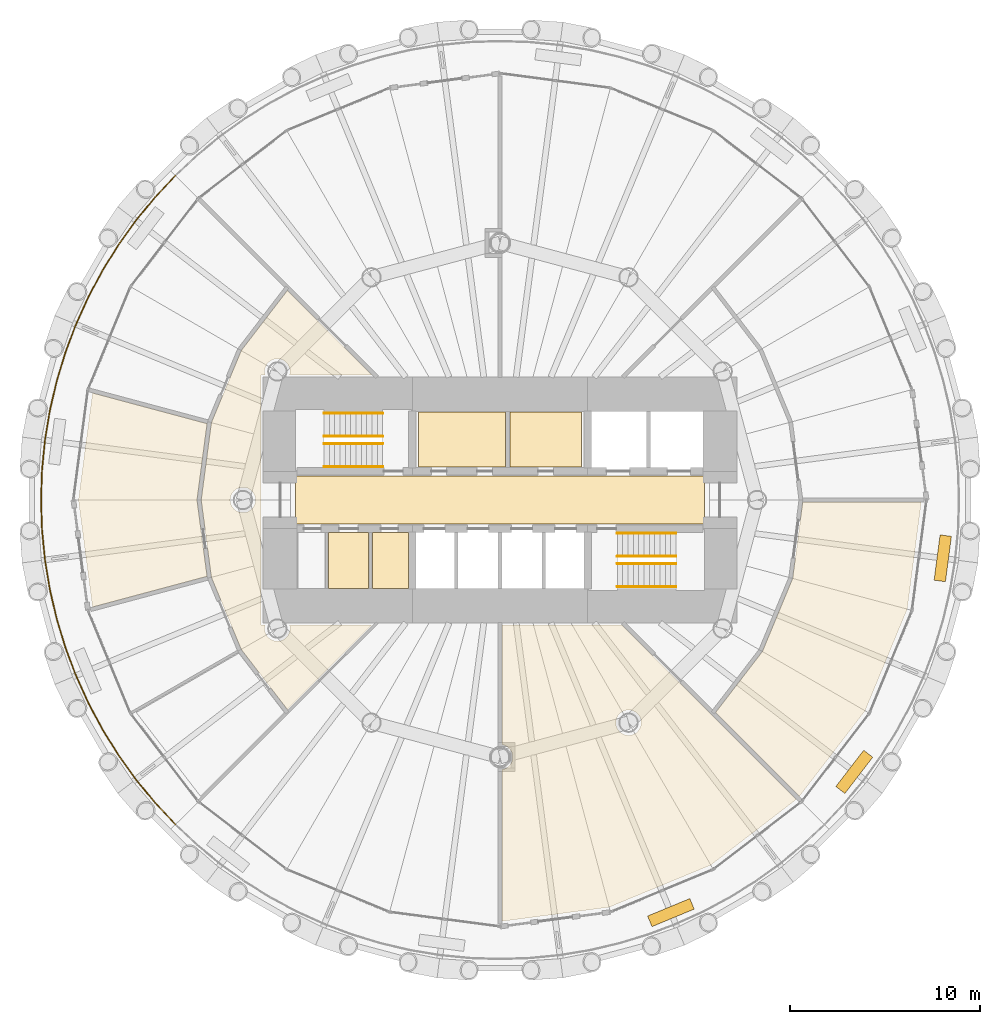
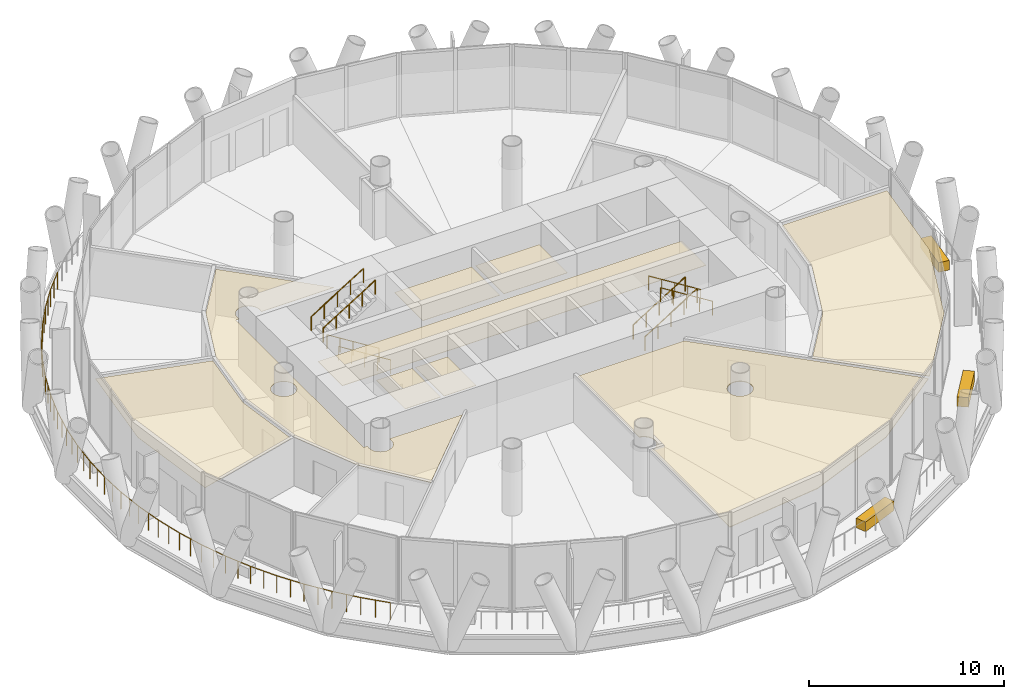
# One storey, part 12 of 14: 12 coverings, 9 railings.
"""IFC4 building model written with IfcOpenShell, lengths in metres."""

from ifc_helpers import new_model, si_unit, direction, frame, origin, origin_2d, place, context, subcontext, project, spatial, polyline, rectangle, circle, outline, extrude, material, layer, layer_set, type_object, element, save


model = new_model("IFC4")

# Units and contexts
model_context = context("Model", 3, precision=1e-05, world=origin(), true_north=direction((0.0, 1.0)))
body_context = subcontext(model_context, "Body", "Model", "MODEL_VIEW")
ifc_project = project(units=[si_unit("LENGTHUNIT", "METRE"), si_unit("AREAUNIT", "SQUARE_METRE"), si_unit("VOLUMEUNIT", "CUBIC_METRE"), si_unit("PLANEANGLEUNIT", "RADIAN"), si_unit("MASSUNIT", "GRAM", prefix="KILO")], contexts=[model_context])

# Site, building, storey
site_placement = place(None, origin())
site = spatial("IfcSite", under=ifc_project, at=site_placement, CompositionType="ELEMENT")
building_placement = place(site_placement, origin())
building = spatial("IfcBuilding", under=site, at=building_placement, Name="Qaws Media Tower", CompositionType="ELEMENT")
storey_placement = place(building_placement, frame((0.0, 0.0, 152.0)))
storey = spatial("IfcBuildingStorey", under=building, at=storey_placement, Name="L34", CompositionType="ELEMENT", Elevation=152.0)

# Covering
ifc_material_1 = material(Name="40 perforated acoustic panels with mineral wool backing, suspended", Category="mineral fibre")
ifc_layer_1 = layer(ifc_material_1, 0.0400390625)
ifc_layer_set_1 = layer_set([ifc_layer_1], Name="Acoustic panel ceiling 40")
covering_type_1 = type_object("IfcCoveringType", Name="Acoustic panel ceiling 40", PredefinedType="CEILING", material=ifc_layer_set_1)
covering_1_placement = place(storey_placement, frame((0.0, 0.0, 2.85009765625)))
element("IfcCovering", 1, at=covering_1_placement, inside=storey, type_object=covering_type_1, Name="CL3 ceiling L34-10 IT training room", PredefinedType="CEILING", context=body_context, shape_type="SweptSolid", body=[
    extrude(outline(polyline([(71.067626953125, 30.830322265625), (65.72900390625, 28.618896484375), (60.112548828125, 27.879638671875), (60.112548828125, 35.8427734375), (60.1728515625, 35.854736328125), (60.255615234375, 35.8828125), (60.333984375, 35.92138671875), (60.40673828125, 35.969970703125), (60.472412109375, 36.027587890625), (60.530029296875, 36.09326171875), (60.57861328125, 36.166015625), (60.6171875, 36.244384765625), (60.645263671875, 36.3271484375), (60.662353515625, 36.412841796875), (60.66796875, 36.5), (60.662353515625, 36.587158203125), (60.645263671875, 36.6728515625), (60.6171875, 36.755615234375), (60.57861328125, 36.833984375), (60.530029296875, 36.90673828125), (60.472412109375, 36.972412109375), (60.40673828125, 37.030029296875), (60.333984375, 37.07861328125), (60.255615234375, 37.1171875), (60.1728515625, 37.145263671875), (60.112548828125, 37.1572265625), (60.112548828125, 43.4375), (66.4033203125, 43.4375), (75.56201171875, 34.27880859375), (71.067626953125, 30.830322265625)]), holes=[polyline([(67.3671875, 38.052978515625), (67.395263671875, 38.1357421875), (67.412353515625, 38.221435546875), (67.41796875, 38.30859375), (67.412353515625, 38.395751953125), (67.395263671875, 38.4814453125), (67.3671875, 38.564208984375), (67.32861328125, 38.642578125), (67.280029296875, 38.71533203125), (67.222412109375, 38.781005859375), (67.15673828125, 38.838623046875), (67.083984375, 38.88720703125), (67.005615234375, 38.92578125), (66.9228515625, 38.953857421875), (66.837158203125, 38.970947265625), (66.75, 38.976806640625), (66.662841796875, 38.970947265625), (66.5771484375, 38.953857421875), (66.494384765625, 38.92578125), (66.416015625, 38.88720703125), (66.34326171875, 38.838623046875), (66.277587890625, 38.781005859375), (66.219970703125, 38.71533203125), (66.17138671875, 38.642578125), (66.1328125, 38.564208984375), (66.104736328125, 38.4814453125), (66.087646484375, 38.395751953125), (66.08203125, 38.30859375), (66.087646484375, 38.221435546875), (66.104736328125, 38.1357421875), (66.1328125, 38.052978515625), (66.17138671875, 37.974609375), (66.219970703125, 37.902099609375), (66.277587890625, 37.836181640625), (66.34326171875, 37.77880859375), (66.416015625, 37.730224609375), (66.494384765625, 37.69140625), (66.5771484375, 37.663330078125), (66.662841796875, 37.646484375), (66.75, 37.640625), (66.837158203125, 37.646484375), (66.9228515625, 37.663330078125), (67.005615234375, 37.69140625), (67.083984375, 37.730224609375), (67.15673828125, 37.77880859375), (67.222412109375, 37.836181640625), (67.280029296875, 37.902099609375), (67.32861328125, 37.974609375), (67.3671875, 38.052978515625)])]), origin(), (0.0, 0.0, 1.0), 0.039794921875),
])

# Railing
ifc_material_2 = material(Name="Stainless steel and glass guard", Category="steel")
railing_type_1 = type_object("IfcRailingType", Name="Balcony guard 1100", PredefinedType="GUARDRAIL", material=ifc_material_2)
railing_placement = place(storey_placement, frame((42.958740234375, 67.041259765625, 0.0)))
element("IfcRailing", 2, at=railing_placement, inside=storey, type_object=railing_type_1, Name="GR1 balcony guard L34-2", PredefinedType="GUARDRAIL", context=body_context, shape_type="SweptSolid", body=[
    extrude(circle(Radius=0.02392578125, at=origin_2d()), frame((0.0, 0.0, 1.076171875), z_axis=(-0.683585753721, -0.729870205796, 0.0), x_axis=(0.729870205796, -0.683585753721, 0.0)), (0.0, 0.0, 1.0), 1.5771484375),
    extrude(circle(Radius=0.02392578125, at=origin_2d()), frame((-1.078125, -1.151123046875, 1.076171875), z_axis=(-0.634425735191, -0.772983820353, 0.0), x_axis=(0.772983820353, -0.634425735191, 0.0)), (0.0, 0.0, 1.0), 1.576904296875),
    extrude(circle(Radius=0.02392578125, at=origin_2d()), frame((-2.07861328125, -2.3701171875, 1.076171875), z_axis=(-0.582394495813, -0.81290629918, 0.0), x_axis=(0.81290629918, -0.582394495813, 0.0)), (0.0, 0.0, 1.0), 1.5771484375),
    extrude(circle(Radius=0.02392578125, at=origin_2d()), frame((-2.9970703125, -3.652099609375, 1.076171875), z_axis=(-0.528091052943, -0.849187752974, 0.0), x_axis=(0.849187752974, -0.528091052943, 0.0)), (0.0, 0.0, 1.0), 1.576904296875),
    extrude(circle(Radius=0.02392578125, at=origin_2d()), frame((-3.829833984375, -4.9912109375, 1.076171875), z_axis=(-0.471503893557, -0.881863979512, 0.0), x_axis=(0.881863979512, -0.471503893557, 0.0)), (0.0, 0.0, 1.0), 1.5771484375),
    extrude(circle(Radius=0.02392578125, at=origin_2d()), frame((-4.573486328125, -6.382080078125, 1.076171875), z_axis=(-0.412577846991, -0.910922345852, 0.0), x_axis=(0.910922345852, -0.412577846991, 0.0)), (0.0, 0.0, 1.0), 1.576904296875),
    extrude(circle(Radius=0.02392578125, at=origin_2d()), frame((-5.22412109375, -7.818603515625, 1.076171875), z_axis=(-0.352310618274, -0.935883127453, 0.0), x_axis=(0.935883127453, -0.352310618274, 0.0)), (0.0, 0.0, 1.0), 1.5771484375),
    extrude(circle(Radius=0.02392578125, at=origin_2d()), frame((-5.77978515625, -9.294677734375, 1.076171875), z_axis=(-0.290286683156, -0.956939727246, 0.0), x_axis=(0.956939727246, -0.290286683156, 0.0)), (0.0, 0.0, 1.0), 1.576904296875),
    extrude(circle(Radius=0.02392578125, at=origin_2d()), frame((-6.237548828125, -10.8037109375, 1.076171875), z_axis=(-0.227097483643, -0.973872031082, 0.0), x_axis=(0.973872031082, -0.227097483643, 0.0)), (0.0, 0.0, 1.0), 1.5771484375),
    extrude(circle(Radius=0.02392578125, at=origin_2d()), frame((-6.595703125, -12.339599609375, 1.076171875), z_axis=(-0.162867357333, -0.986647973654, 0.0), x_axis=(0.986647973654, -0.162867357333, 0.0)), (0.0, 0.0, 1.0), 1.576904296875),
    extrude(circle(Radius=0.02392578125, at=origin_2d()), frame((-6.8525390625, -13.8955078125, 1.076171875), z_axis=(-0.097986289481, -0.995187764733, 0.0), x_axis=(0.995187764733, -0.097986289481, 0.0)), (0.0, 0.0, 1.0), 1.5771484375),
    extrude(circle(Radius=0.02392578125, at=origin_2d()), frame((-7.007080078125, -15.465087890625, 1.076171875), z_axis=(-0.032819980053, -0.999461279345, 0.0), x_axis=(0.999461279345, -0.032819980053, 0.0)), (0.0, 0.0, 1.0), 1.576904296875),
    extrude(circle(Radius=0.02392578125, at=origin_2d()), frame((-7.058837890625, -17.041259765625, 1.076171875), z_axis=(0.032819980053, -0.999461279345, 0.0), x_axis=(0.999461279345, 0.032819980053, 0.0)), (0.0, 0.0, 1.0), 1.576904296875),
    extrude(circle(Radius=0.02392578125, at=origin_2d()), frame((-7.007080078125, -18.617431640625, 1.076171875), z_axis=(0.097986289481, -0.995187764733, 0.0), x_axis=(0.995187764733, 0.097986289481, 0.0)), (0.0, 0.0, 1.0), 1.5771484375),
    extrude(circle(Radius=0.02392578125, at=origin_2d()), frame((-6.8525390625, -20.18701171875, 1.076171875), z_axis=(0.162867357333, -0.986647973654, 0.0), x_axis=(0.986647973654, 0.162867357333, 0.0)), (0.0, 0.0, 1.0), 1.576904296875),
    extrude(circle(Radius=0.02392578125, at=origin_2d()), frame((-6.595703125, -21.742919921875, 1.076171875), z_axis=(0.227097483643, -0.973872031082, 0.0), x_axis=(0.973872031082, 0.227097483643, 0.0)), (0.0, 0.0, 1.0), 1.5771484375),
    extrude(circle(Radius=0.02392578125, at=origin_2d()), frame((-6.237548828125, -23.27880859375, 1.076171875), z_axis=(0.290286683156, -0.956939727246, 0.0), x_axis=(0.956939727246, 0.290286683156, 0.0)), (0.0, 0.0, 1.0), 1.576904296875),
    extrude(circle(Radius=0.02392578125, at=origin_2d()), frame((-5.77978515625, -24.787841796875, 1.076171875), z_axis=(0.352310618274, -0.935883127453, 0.0), x_axis=(0.935883127453, 0.352310618274, 0.0)), (0.0, 0.0, 1.0), 1.5771484375),
    extrude(circle(Radius=0.02392578125, at=origin_2d()), frame((-5.22412109375, -26.263916015625, 1.076171875), z_axis=(0.412577846991, -0.910922345852, 0.0), x_axis=(0.910922345852, 0.412577846991, 0.0)), (0.0, 0.0, 1.0), 1.576904296875),
    extrude(circle(Radius=0.02392578125, at=origin_2d()), frame((-4.573486328125, -27.700439453125, 1.076171875), z_axis=(0.471503893557, -0.881863979512, 0.0), x_axis=(0.881863979512, 0.471503893557, 0.0)), (0.0, 0.0, 1.0), 1.5771484375),
    extrude(circle(Radius=0.02392578125, at=origin_2d()), frame((-3.829833984375, -29.09130859375, 1.076171875), z_axis=(0.528091052943, -0.849187752974, 0.0), x_axis=(0.849187752974, 0.528091052943, 0.0)), (0.0, 0.0, 1.0), 1.576904296875),
    extrude(circle(Radius=0.02392578125, at=origin_2d()), frame((-2.9970703125, -30.430419921875, 1.076171875), z_axis=(0.582394495813, -0.81290629918, 0.0), x_axis=(0.81290629918, 0.582394495813, 0.0)), (0.0, 0.0, 1.0), 1.5771484375),
    extrude(circle(Radius=0.02392578125, at=origin_2d()), frame((-2.07861328125, -31.71240234375, 1.076171875), z_axis=(0.634425735191, -0.772983820353, 0.0), x_axis=(0.772983820353, 0.634425735191, 0.0)), (0.0, 0.0, 1.0), 1.576904296875),
    extrude(circle(Radius=0.02392578125, at=origin_2d()), frame((-1.078125, -32.931396484375, 1.076171875), z_axis=(0.683585753721, -0.729870205796, 0.0), x_axis=(0.729870205796, 0.683585753721, 0.0)), (0.0, 0.0, 1.0), 1.5771484375),
    extrude(circle(Radius=0.02099609375, at=origin_2d()), origin(), (0.0, 0.0, 1.0), 1.052001953125),
    extrude(circle(Radius=0.02099609375, at=origin_2d()), frame((-0.5390625, -0.57568359375, 0.0)), (0.0, 0.0, 1.0), 1.052001953125),
    extrude(circle(Radius=0.02099609375, at=origin_2d()), frame((-1.078125, -1.151123046875, 0.0)), (0.0, 0.0, 1.0), 1.052001953125),
    extrude(circle(Radius=0.02099609375, at=origin_2d()), frame((-1.578369140625, -1.7607421875, 0.0)), (0.0, 0.0, 1.0), 1.052001953125),
    extrude(circle(Radius=0.02099609375, at=origin_2d()), frame((-2.07861328125, -2.3701171875, 0.0)), (0.0, 0.0, 1.0), 1.052001953125),
    extrude(circle(Radius=0.02099609375, at=origin_2d()), frame((-2.537841796875, -3.01123046875, 0.0)), (0.0, 0.0, 1.0), 1.052001953125),
    extrude(circle(Radius=0.02099609375, at=origin_2d()), frame((-2.9970703125, -3.652099609375, 0.0)), (0.0, 0.0, 1.0), 1.052001953125),
    extrude(circle(Radius=0.02099609375, at=origin_2d()), frame((-3.41357421875, -4.32177734375, 0.0)), (0.0, 0.0, 1.0), 1.052001953125),
    extrude(circle(Radius=0.02099609375, at=origin_2d()), frame((-3.829833984375, -4.9912109375, 0.0)), (0.0, 0.0, 1.0), 1.052001953125),
    extrude(circle(Radius=0.02099609375, at=origin_2d()), frame((-4.20166015625, -5.6865234375, 0.0)), (0.0, 0.0, 1.0), 1.052001953125),
    extrude(circle(Radius=0.02099609375, at=origin_2d()), frame((-4.573486328125, -6.382080078125, 0.0)), (0.0, 0.0, 1.0), 1.052001953125),
    extrude(circle(Radius=0.02099609375, at=origin_2d()), frame((-4.89892578125, -7.100341796875, 0.0)), (0.0, 0.0, 1.0), 1.052001953125),
    extrude(circle(Radius=0.02099609375, at=origin_2d()), frame((-5.22412109375, -7.818603515625, 0.0)), (0.0, 0.0, 1.0), 1.052001953125),
    extrude(circle(Radius=0.02099609375, at=origin_2d()), frame((-5.501953125, -8.556640625, 0.0)), (0.0, 0.0, 1.0), 1.052001953125),
    extrude(circle(Radius=0.02099609375, at=origin_2d()), frame((-5.77978515625, -9.294677734375, 0.0)), (0.0, 0.0, 1.0), 1.052001953125),
    extrude(circle(Radius=0.02099609375, at=origin_2d()), frame((-6.0087890625, -10.04931640625, 0.0)), (0.0, 0.0, 1.0), 1.052001953125),
    extrude(circle(Radius=0.02099609375, at=origin_2d()), frame((-6.237548828125, -10.8037109375, 0.0)), (0.0, 0.0, 1.0), 1.052001953125),
    extrude(circle(Radius=0.02099609375, at=origin_2d()), frame((-6.41650390625, -11.57177734375, 0.0)), (0.0, 0.0, 1.0), 1.052001953125),
    extrude(circle(Radius=0.02099609375, at=origin_2d()), frame((-6.595703125, -12.339599609375, 0.0)), (0.0, 0.0, 1.0), 1.052001953125),
    extrude(circle(Radius=0.02099609375, at=origin_2d()), frame((-6.72412109375, -13.11767578125, 0.0)), (0.0, 0.0, 1.0), 1.052001953125),
    extrude(circle(Radius=0.02099609375, at=origin_2d()), frame((-6.8525390625, -13.8955078125, 0.0)), (0.0, 0.0, 1.0), 1.052001953125),
    extrude(circle(Radius=0.02099609375, at=origin_2d()), frame((-6.9296875, -14.68017578125, 0.0)), (0.0, 0.0, 1.0), 1.052001953125),
    extrude(circle(Radius=0.02099609375, at=origin_2d()), frame((-7.007080078125, -15.465087890625, 0.0)), (0.0, 0.0, 1.0), 1.052001953125),
    extrude(circle(Radius=0.02099609375, at=origin_2d()), frame((-7.032958984375, -16.253173828125, 0.0)), (0.0, 0.0, 1.0), 1.052001953125),
    extrude(circle(Radius=0.02099609375, at=origin_2d()), frame((-7.058837890625, -17.041259765625, 0.0)), (0.0, 0.0, 1.0), 1.052001953125),
    extrude(circle(Radius=0.02099609375, at=origin_2d()), frame((-7.032958984375, -17.829345703125, 0.0)), (0.0, 0.0, 1.0), 1.052001953125),
    extrude(circle(Radius=0.02099609375, at=origin_2d()), frame((-7.007080078125, -18.617431640625, 0.0)), (0.0, 0.0, 1.0), 1.052001953125),
    extrude(circle(Radius=0.02099609375, at=origin_2d()), frame((-6.9296875, -19.40234375, 0.0)), (0.0, 0.0, 1.0), 1.052001953125),
    extrude(circle(Radius=0.02099609375, at=origin_2d()), frame((-6.8525390625, -20.18701171875, 0.0)), (0.0, 0.0, 1.0), 1.052001953125),
    extrude(circle(Radius=0.02099609375, at=origin_2d()), frame((-6.72412109375, -20.96484375, 0.0)), (0.0, 0.0, 1.0), 1.052001953125),
    extrude(circle(Radius=0.02099609375, at=origin_2d()), frame((-6.595703125, -21.742919921875, 0.0)), (0.0, 0.0, 1.0), 1.052001953125),
    extrude(circle(Radius=0.02099609375, at=origin_2d()), frame((-6.41650390625, -22.5107421875, 0.0)), (0.0, 0.0, 1.0), 1.052001953125),
    extrude(circle(Radius=0.02099609375, at=origin_2d()), frame((-6.237548828125, -23.27880859375, 0.0)), (0.0, 0.0, 1.0), 1.052001953125),
    extrude(circle(Radius=0.02099609375, at=origin_2d()), frame((-6.0087890625, -24.033203125, 0.0)), (0.0, 0.0, 1.0), 1.052001953125),
    extrude(circle(Radius=0.02099609375, at=origin_2d()), frame((-5.77978515625, -24.787841796875, 0.0)), (0.0, 0.0, 1.0), 1.052001953125),
    extrude(circle(Radius=0.02099609375, at=origin_2d()), frame((-5.501953125, -25.52587890625, 0.0)), (0.0, 0.0, 1.0), 1.052001953125),
    extrude(circle(Radius=0.02099609375, at=origin_2d()), frame((-5.22412109375, -26.263916015625, 0.0)), (0.0, 0.0, 1.0), 1.052001953125),
    extrude(circle(Radius=0.02099609375, at=origin_2d()), frame((-4.89892578125, -26.982177734375, 0.0)), (0.0, 0.0, 1.0), 1.052001953125),
    extrude(circle(Radius=0.02099609375, at=origin_2d()), frame((-4.573486328125, -27.700439453125, 0.0)), (0.0, 0.0, 1.0), 1.052001953125),
    extrude(circle(Radius=0.02099609375, at=origin_2d()), frame((-4.20166015625, -28.39599609375, 0.0)), (0.0, 0.0, 1.0), 1.052001953125),
    extrude(circle(Radius=0.02099609375, at=origin_2d()), frame((-3.829833984375, -29.09130859375, 0.0)), (0.0, 0.0, 1.0), 1.052001953125),
    extrude(circle(Radius=0.02099609375, at=origin_2d()), frame((-3.41357421875, -29.7607421875, 0.0)), (0.0, 0.0, 1.0), 1.052001953125),
    extrude(circle(Radius=0.02099609375, at=origin_2d()), frame((-2.9970703125, -30.430419921875, 0.0)), (0.0, 0.0, 1.0), 1.052001953125),
    extrude(circle(Radius=0.02099609375, at=origin_2d()), frame((-2.537841796875, -31.0712890625, 0.0)), (0.0, 0.0, 1.0), 1.052001953125),
    extrude(circle(Radius=0.02099609375, at=origin_2d()), frame((-2.07861328125, -31.71240234375, 0.0)), (0.0, 0.0, 1.0), 1.052001953125),
    extrude(circle(Radius=0.02099609375, at=origin_2d()), frame((-1.578369140625, -32.32177734375, 0.0)), (0.0, 0.0, 1.0), 1.052001953125),
    extrude(circle(Radius=0.02099609375, at=origin_2d()), frame((-1.078125, -32.931396484375, 0.0)), (0.0, 0.0, 1.0), 1.052001953125),
    extrude(circle(Radius=0.02099609375, at=origin_2d()), frame((-0.5390625, -33.5068359375, 0.0)), (0.0, 0.0, 1.0), 1.052001953125),
    extrude(circle(Radius=0.02099609375, at=origin_2d()), frame((0.0, -34.08251953125, 0.0)), (0.0, 0.0, 1.0), 1.052001953125),
])

# Coverings
ifc_material_3 = material(Name="600 x 600 mineral fibre tiles in exposed grid, suspended", Category="mineral fibre")
ifc_layer_2 = layer(ifc_material_3, 0.02001953125)
ifc_layer_set_2 = layer_set([ifc_layer_2], Name="Mineral fibre tile ceiling 20")
covering_type_2 = type_object("IfcCoveringType", Name="Mineral fibre tile ceiling 20", PredefinedType="CEILING", material=ifc_layer_set_2)
covering_2_placement = place(storey_placement, frame((0.0, 0.0, 2.85009765625)))
element("IfcCovering", 3, at=covering_2_placement, inside=storey, type_object=covering_type_2, Name="CL1 ceiling L34-C07 Ladies toilets", PredefinedType="CEILING", context=body_context, shape_type="SweptSolid", body=[
    extrude(outline(polyline([(55.719970703125, 51.719970703125), (55.719970703125, 54.6298828125), (60.280029296875, 54.6298828125), (60.280029296875, 51.719970703125), (55.719970703125, 51.719970703125)])), origin(), (0.0, 0.0, 1.0), 0.02001953125),
])
covering_3_placement = place(storey_placement, frame((0.0, 0.0, 2.85009765625)))
element("IfcCovering", 4, at=covering_3_placement, inside=storey, type_object=covering_type_2, Name="CL1 ceiling L34-C08 Gents toilets", PredefinedType="CEILING", context=body_context, shape_type="SweptSolid", body=[
    extrude(outline(polyline([(60.52001953125, 51.719970703125), (60.52001953125, 54.6298828125), (64.280029296875, 54.6298828125), (64.280029296875, 51.719970703125), (60.52001953125, 51.719970703125)])), origin(), (0.0, 0.0, 1.0), 0.02001953125),
])
covering_4_placement = place(storey_placement, frame((0.0, 0.0, 2.85009765625)))
element("IfcCovering", 5, at=covering_4_placement, inside=storey, type_object=covering_type_2, Name="CL1 ceiling L34-01-1 Corridor", PredefinedType="CEILING", context=body_context, shape_type="SweptSolid", body=[
    extrude(outline(polyline([(44.3134765625, 50.0), (44.847900390625, 54.06005859375), (46.4150390625, 57.84326171875), (48.8388671875, 61.001953125), (53.2783203125, 56.5625), (48.948974609375, 56.5625), (48.953857421875, 56.5771484375), (48.970947265625, 56.662841796875), (48.976806640625, 56.75), (48.970947265625, 56.837158203125), (48.953857421875, 56.9228515625), (48.92578125, 57.005615234375), (48.88720703125, 57.083984375), (48.838623046875, 57.15673828125), (48.781005859375, 57.222412109375), (48.71533203125, 57.280029296875), (48.642578125, 57.32861328125), (48.564208984375, 57.3671875), (48.4814453125, 57.395263671875), (48.395751953125, 57.412353515625), (48.30859375, 57.41796875), (48.221435546875, 57.412353515625), (48.1357421875, 57.395263671875), (48.052978515625, 57.3671875), (47.974609375, 57.32861328125), (47.902099609375, 57.280029296875), (47.836181640625, 57.222412109375), (47.77880859375, 57.15673828125), (47.730224609375, 57.083984375), (47.69140625, 57.005615234375), (47.663330078125, 56.9228515625), (47.646484375, 56.837158203125), (47.640625, 56.75), (47.646484375, 56.662841796875), (47.663330078125, 56.5771484375), (47.66845703125, 56.5625), (47.4375, 56.5625), (47.4375, 43.4375), (47.66845703125, 43.4375), (47.663330078125, 43.4228515625), (47.646484375, 43.337158203125), (47.640625, 43.25), (47.646484375, 43.162841796875), (47.663330078125, 43.0771484375), (47.69140625, 42.994384765625), (47.730224609375, 42.916015625), (47.77880859375, 42.84326171875), (47.836181640625, 42.777587890625), (47.902099609375, 42.719970703125), (47.974609375, 42.67138671875), (48.052978515625, 42.6328125), (48.1357421875, 42.604736328125), (48.221435546875, 42.587646484375), (48.30859375, 42.58203125), (48.395751953125, 42.587646484375), (48.4814453125, 42.604736328125), (48.564208984375, 42.6328125), (48.642578125, 42.67138671875), (48.71533203125, 42.719970703125), (48.781005859375, 42.777587890625), (48.838623046875, 42.84326171875), (48.88720703125, 42.916015625), (48.92578125, 42.994384765625), (48.953857421875, 43.0771484375), (48.970947265625, 43.162841796875), (48.976806640625, 43.25), (48.970947265625, 43.337158203125), (48.953857421875, 43.4228515625), (48.948974609375, 43.4375), (53.2783203125, 43.4375), (48.8388671875, 38.998046875), (46.4150390625, 42.15673828125), (44.847900390625, 45.93994140625), (44.3134765625, 50.0)]), holes=[polyline([(47.1171875, 49.744384765625), (47.145263671875, 49.8271484375), (47.162353515625, 49.912841796875), (47.16796875, 50.0), (47.162353515625, 50.087158203125), (47.145263671875, 50.1728515625), (47.1171875, 50.255615234375), (47.07861328125, 50.333984375), (47.030029296875, 50.40673828125), (46.972412109375, 50.472412109375), (46.90673828125, 50.530029296875), (46.833984375, 50.57861328125), (46.755615234375, 50.6171875), (46.6728515625, 50.645263671875), (46.587158203125, 50.662353515625), (46.5, 50.66796875), (46.412841796875, 50.662353515625), (46.3271484375, 50.645263671875), (46.244384765625, 50.6171875), (46.166015625, 50.57861328125), (46.09326171875, 50.530029296875), (46.027587890625, 50.472412109375), (45.969970703125, 50.40673828125), (45.92138671875, 50.333984375), (45.8828125, 50.255615234375), (45.854736328125, 50.1728515625), (45.837646484375, 50.087158203125), (45.83203125, 50.0), (45.837646484375, 49.912841796875), (45.854736328125, 49.8271484375), (45.8828125, 49.744384765625), (45.92138671875, 49.666015625), (45.969970703125, 49.59326171875), (46.027587890625, 49.527587890625), (46.09326171875, 49.469970703125), (46.166015625, 49.42138671875), (46.244384765625, 49.3828125), (46.3271484375, 49.354736328125), (46.412841796875, 49.337646484375), (46.5, 49.33203125), (46.587158203125, 49.337646484375), (46.6728515625, 49.354736328125), (46.755615234375, 49.3828125), (46.833984375, 49.42138671875), (46.90673828125, 49.469970703125), (46.972412109375, 49.527587890625), (47.030029296875, 49.59326171875), (47.07861328125, 49.666015625), (47.1171875, 49.744384765625)])]), origin(), (0.0, 0.0, 1.0), 0.02001953125),
])
covering_5_placement = place(storey_placement, frame((0.0, 0.0, 2.85009765625)))
element("IfcCovering", 6, at=covering_5_placement, inside=storey, type_object=covering_type_2, Name="CL1 ceiling L34-06 Server room", PredefinedType="CEILING", context=body_context, shape_type="SweptSolid", body=[
    extrude(outline(polyline([(37.86474609375, 50.0), (38.604248046875, 55.616455078125), (44.614013671875, 54.006103515625), (44.08642578125, 50.0), (44.614013671875, 45.993896484375), (38.604248046875, 44.383544921875), (37.86474609375, 50.0)])), origin(), (0.0, 0.0, 1.0), 0.02001953125),
])
covering_6_placement = place(storey_placement, frame((0.0, 0.0, 2.85009765625)))
element("IfcCovering", 7, at=covering_6_placement, inside=storey, type_object=covering_type_2, Name="CL1 ceiling L34-C06 Mothers' room", PredefinedType="CEILING", context=body_context, shape_type="SweptSolid", body=[
    extrude(outline(polyline([(53.300048828125, 45.35009765625), (53.300048828125, 48.300048828125), (55.199951171875, 48.300048828125), (55.199951171875, 45.35009765625), (53.300048828125, 45.35009765625)])), origin(), (0.0, 0.0, 1.0), 0.02001953125),
])
ifc_material_4 = material(Name="Precast concrete planter with trailing planting", Category="concrete")
ifc_layer_3 = layer(ifc_material_4, 0.60009765625)
ifc_layer_set_3 = layer_set([ifc_layer_3], Name="Planter 2400x600")
covering_type_3 = type_object("IfcCoveringType", Name="Planter 2400x600", PredefinedType="USERDEFINED", material=ifc_layer_set_3)
for number, where, z_axis, x_axis, name in (
    (8, (68.973876953125, 28.3349609375, 0.0), (0.0, 0.0, 1.0), (0.923879532511, 0.382683432365, 0.0), "PL1 balcony planter L34-10"),
    (9, (78.604248046875, 35.724609375, 0.0), (0.0, 0.0, 1.0), (0.608761429009, 0.793353340291, 0.0), "PL1 balcony planter L34-11"),
    (10, (83.249267578125, 46.939208984375, 0.0), (0.0, 0.0, 1.0), (0.13052619222, 0.991444861374, 0.0), "PL1 balcony planter L34-12"),
):
    element("IfcCovering", number, at=place(storey_placement, frame(where, z_axis=z_axis, x_axis=x_axis)), inside=storey, type_object=covering_type_3, Name=name, ObjectType="PLANTER", PredefinedType="USERDEFINED", context=body_context, shape_type="SweptSolid", body=[
        extrude(rectangle(XDim=2.39990234375, YDim=0.60009765625, at=origin_2d()), origin(), (0.0, 0.0, 1.0), 0.60009765625),
    ])
ifc_material_5 = material(Name="Two layers 12.5 moisture-resistant plasterboard on suspended metal furring", Category="gypsum")
ifc_layer_4 = layer(ifc_material_5, 0.02490234375)
ifc_layer_set_4 = layer_set([ifc_layer_4], Name="Plasterboard ceiling 25")
covering_type_4 = type_object("IfcCoveringType", Name="Plasterboard ceiling 25", PredefinedType="CEILING", material=ifc_layer_set_4)
covering_7_placement = place(storey_placement, frame((0.0, 0.0, 2.85009765625)))
element("IfcCovering", 11, at=covering_7_placement, inside=storey, type_object=covering_type_4, Name="CL2 ceiling L34-C01 Lift lobby", PredefinedType="CEILING", context=body_context, shape_type="SweptSolid", body=[
    extrude(outline(polyline([(49.25, 48.75), (49.25, 51.25), (70.75, 51.25), (70.75, 48.75), (49.25, 48.75)])), origin(), (0.0, 0.0, 1.0), 0.02490234375),
])
covering_8_placement = place(storey_placement, frame((0.0, 0.0, 2.85009765625)))
element("IfcCovering", 12, at=covering_8_placement, inside=storey, type_object=covering_type_4, Name="CL2 ceiling L34-11 IT service office", PredefinedType="CEILING", context=body_context, shape_type="SweptSolid", body=[
    extrude(outline(polyline([(81.381103515625, 44.27099609375), (79.169677734375, 38.932373046875), (75.72119140625, 34.43798828125), (71.321533203125, 38.83740234375), (73.781494140625, 42.043212890625), (75.37109375, 45.88134765625), (75.898681640625, 49.887451171875), (82.120361328125, 49.887451171875), (81.381103515625, 44.27099609375)])), origin(), (0.0, 0.0, 1.0), 0.02490234375),
])
covering_9_placement = place(storey_placement, frame((0.0, 0.0, 2.85009765625)))
element("IfcCovering", 13, at=covering_9_placement, inside=storey, type_object=covering_type_4, Name="CL2 ceiling L34-C05 Accessible WC", PredefinedType="CEILING", context=body_context, shape_type="SweptSolid", body=[
    extrude(outline(polyline([(51.0, 45.35009765625), (51.0, 48.300048828125), (53.10009765625, 48.300048828125), (53.10009765625, 45.35009765625), (51.0, 45.35009765625)])), origin(), (0.0, 0.0, 1.0), 0.02490234375),
])

# Railings
ifc_material_6 = material(Name="Steel tube handrail", Category="steel")
railing_type_2 = type_object("IfcRailingType", Name="Stair handrail 900", PredefinedType="HANDRAIL", material=ifc_material_6)
for number, where, name in (
    (14, (53.840087890625, 51.75, 0.175048828125), "HR1 handrail S1 flight 1 L34"),
    (15, (53.840087890625, 52.9599609375, 0.175048828125), "HR1 handrail S1 flight 1 L34"),
):
    element("IfcRailing", number, at=place(storey_placement, frame(where)), inside=storey, type_object=railing_type_2, Name=name, PredefinedType="HANDRAIL", context=body_context, shape_type="SweptSolid", body=[
        extrude(circle(Radius=0.02392578125, at=origin_2d()), frame((0.0, 0.0, 0.8759765625), z_axis=(-0.847998304005, 0.0, 0.529998940003), x_axis=(0.0, -1.0, 0.0)), (0.0, 0.0, 1.0), 3.632080078125),
        extrude(circle(Radius=0.02099609375, at=origin_2d()), origin(), (0.0, 0.0, 1.0), 0.851806640625),
        extrude(circle(Radius=0.02099609375, at=origin_2d()), frame((-0.77001953125, 0.0, 0.481201171875)), (0.0, 0.0, 1.0), 0.851806640625),
        extrude(circle(Radius=0.02099609375, at=origin_2d()), frame((-1.5400390625, 0.0, 0.96240234375)), (0.0, 0.0, 1.0), 0.851806640625),
        extrude(circle(Radius=0.02099609375, at=origin_2d()), frame((-2.31005859375, 0.0, 1.44384765625)), (0.0, 0.0, 1.0), 0.851806640625),
        extrude(circle(Radius=0.02099609375, at=origin_2d()), frame((-3.080078125, 0.0, 1.925048828125)), (0.0, 0.0, 1.0), 0.851806640625),
    ])
for number, where, name in (
    (16, (50.760009765625, 54.550048828125, 2.27490234375), "HR1 handrail S1 flight 2 L34"),
    (17, (50.760009765625, 53.340087890625, 2.27490234375), "HR1 handrail S1 flight 2 L34"),
    (18, (66.159912109375, 48.25, 0.175048828125), "HR1 handrail S2 flight 1 L34"),
    (19, (66.159912109375, 47.0400390625, 0.175048828125), "HR1 handrail S2 flight 1 L34"),
):
    element("IfcRailing", number, at=place(storey_placement, frame(where)), inside=storey, type_object=railing_type_2, Name=name, PredefinedType="HANDRAIL", context=body_context, shape_type="SweptSolid", body=[
        extrude(circle(Radius=0.02392578125, at=origin_2d()), frame((0.0, 0.0, 0.8759765625), z_axis=(0.847998304005, 0.0, 0.529998940003), x_axis=(0.0, 1.0, 0.0)), (0.0, 0.0, 1.0), 3.632080078125),
        extrude(circle(Radius=0.02099609375, at=origin_2d()), origin(), (0.0, 0.0, 1.0), 0.851806640625),
        extrude(circle(Radius=0.02099609375, at=origin_2d()), frame((0.77001953125, 0.0, 0.481201171875)), (0.0, 0.0, 1.0), 0.851806640625),
        extrude(circle(Radius=0.02099609375, at=origin_2d()), frame((1.5400390625, 0.0, 0.96240234375)), (0.0, 0.0, 1.0), 0.851806640625),
        extrude(circle(Radius=0.02099609375, at=origin_2d()), frame((2.31005859375, 0.0, 1.44384765625)), (0.0, 0.0, 1.0), 0.851806640625),
        extrude(circle(Radius=0.02099609375, at=origin_2d()), frame((3.080078125, 0.0, 1.925048828125)), (0.0, 0.0, 1.0), 0.851806640625),
    ])
for number, where, name in (
    (20, (69.239990234375, 45.449951171875, 2.27490234375), "HR1 handrail S2 flight 2 L34"),
    (21, (69.239990234375, 46.659912109375, 2.27490234375), "HR1 handrail S2 flight 2 L34"),
):
    element("IfcRailing", number, at=place(storey_placement, frame(where)), inside=storey, type_object=railing_type_2, Name=name, PredefinedType="HANDRAIL", context=body_context, shape_type="SweptSolid", body=[
        extrude(circle(Radius=0.02392578125, at=origin_2d()), frame((0.0, 0.0, 0.8759765625), z_axis=(-0.847998304005, 0.0, 0.529998940003), x_axis=(0.0, -1.0, 0.0)), (0.0, 0.0, 1.0), 3.632080078125),
        extrude(circle(Radius=0.02099609375, at=origin_2d()), origin(), (0.0, 0.0, 1.0), 0.851806640625),
        extrude(circle(Radius=0.02099609375, at=origin_2d()), frame((-0.77001953125, 0.0, 0.481201171875)), (0.0, 0.0, 1.0), 0.851806640625),
        extrude(circle(Radius=0.02099609375, at=origin_2d()), frame((-1.5400390625, 0.0, 0.96240234375)), (0.0, 0.0, 1.0), 0.851806640625),
        extrude(circle(Radius=0.02099609375, at=origin_2d()), frame((-2.31005859375, 0.0, 1.44384765625)), (0.0, 0.0, 1.0), 0.851806640625),
        extrude(circle(Radius=0.02099609375, at=origin_2d()), frame((-3.080078125, 0.0, 1.925048828125)), (0.0, 0.0, 1.0), 0.851806640625),
    ])

save(model, "model.ifc")
